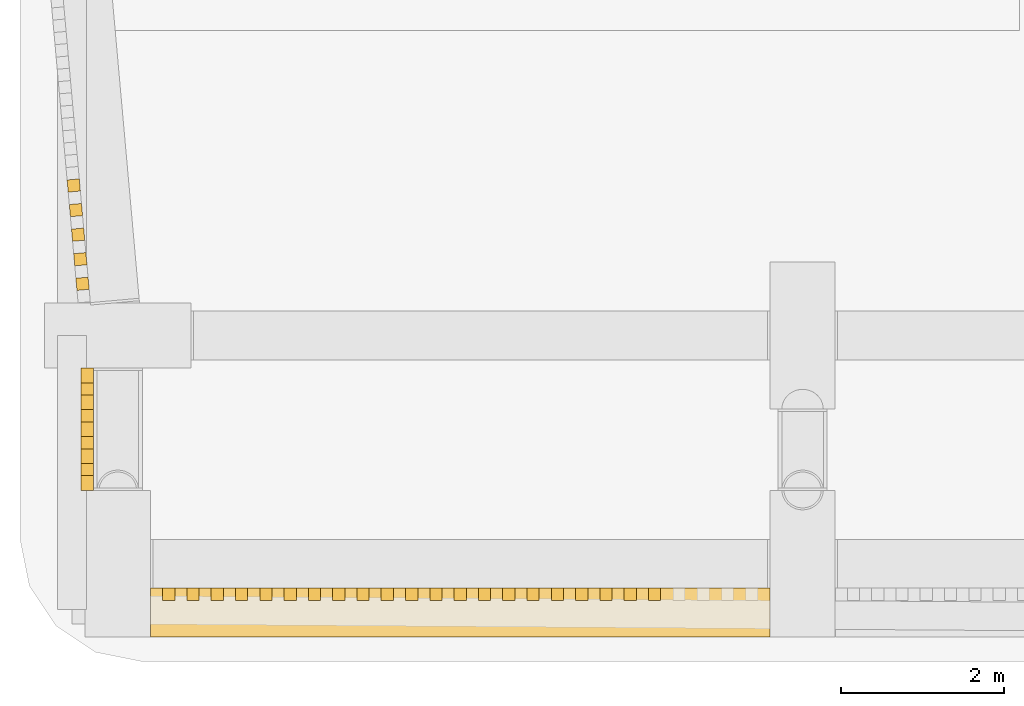
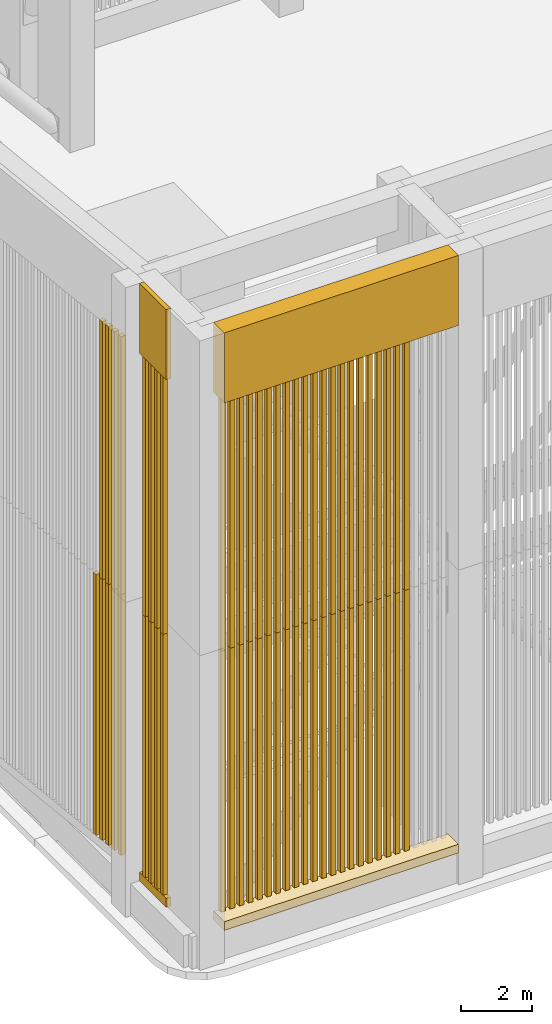
# One storey, part 8 of 27: 59 shading devices, 4 coverings.
"""IFC4 building model written with IfcOpenShell, lengths in metres."""

from ifc_helpers import new_model, si_unit, direction, frame, origin, origin_2d, place, context, subcontext, project, spatial, rectangle, extrude, material, layer, layer_set, type_object, element, save


model = new_model("IFC4")

# Units and contexts
model_context = context("Model", 3, precision=1e-05, world=origin(), true_north=direction((0.0, 1.0)))
body_context = subcontext(model_context, "Body", "Model", "MODEL_VIEW")
ifc_project = project(units=[si_unit("LENGTHUNIT", "METRE"), si_unit("AREAUNIT", "SQUARE_METRE"), si_unit("VOLUMEUNIT", "CUBIC_METRE"), si_unit("PLANEANGLEUNIT", "RADIAN"), si_unit("MASSUNIT", "GRAM", prefix="KILO")], contexts=[model_context])

# Site, building, storey
site_placement = place(None, origin())
site = spatial("IfcSite", under=ifc_project, at=site_placement, CompositionType="ELEMENT")
building_placement = place(site_placement, origin())
building = spatial("IfcBuilding", under=site, at=building_placement, Name="Claustro Exchange Tower", CompositionType="ELEMENT")
storey_placement = place(building_placement, frame((0.0, 0.0, 287.10009765625)))
storey = spatial("IfcBuildingStorey", under=building, at=storey_placement, Name="ROOF", CompositionType="ELEMENT", Elevation=287.10009765625)

# Coverings
ifc_material_1 = material(Name="Concrete HA-40 (C40/50), precast, white cement, acid-etched", Category="concrete")
ifc_layer_1 = layer(ifc_material_1, 0.14990234375)
ifc_layer_set_1 = layer_set([ifc_layer_1], Name="Concrete HA-40 (C40/50), precast, white cement, acid-etched")
covering_type_1 = type_object("IfcCoveringType", Name="CC1 150 precast concrete crown moulding", PredefinedType="MOLDING", material=ifc_layer_set_1)
covering_1_placement = place(storey_placement, frame((-0.37548828125, 7.25, 1.10009765625), z_axis=(0.0, 0.0, 1.0), x_axis=(0.0, 1.0, 0.0)))
element("IfcCovering", 1, at=covering_1_placement, inside=storey, type_object=covering_type_1, Name="CROWN SILL CC1 1/A+5600 - 1/B", PredefinedType="MOLDING", context=body_context, shape_type="SweptSolid", body=[
    extrude(rectangle(XDim=1.4990234375, YDim=0.14990234375, at=origin_2d()), origin(), (0.0, 0.0, 1.0), 0.300048828125),
])
covering_2_placement = place(storey_placement, frame((-0.37548828125, 7.25, 19.199951171875), z_axis=(0.0, 0.0, 1.0), x_axis=(0.0, 1.0, 0.0)))
element("IfcCovering", 2, at=covering_2_placement, inside=storey, type_object=covering_type_1, Name="CROWN CORNICE CC1 1/A+5600 - 1/B", PredefinedType="MOLDING", context=body_context, shape_type="SweptSolid", body=[
    extrude(rectangle(XDim=1.4990234375, YDim=0.14990234375, at=origin_2d()), origin(), (0.0, 0.0, 1.0), 2.39990234375),
])
ifc_material_2 = material(Name="Concrete HA-40 (C40/50), precast, white cement, acid-etched", Category="concrete")
ifc_layer_2 = layer(ifc_material_2, 0.60009765625)
ifc_layer_set_2 = layer_set([ifc_layer_2], Name="Concrete HA-40 (C40/50), precast, white cement, acid-etched")
covering_type_2 = type_object("IfcCoveringType", Name="CC2 600 precast concrete crown moulding", PredefinedType="MOLDING", material=ifc_layer_set_2)
covering_3_placement = place(storey_placement, frame((4.199951171875, 4.99951171875, 1.10009765625), z_axis=(0.0, 0.0, 1.0), x_axis=(1.0, 0.0, 0.0)))
element("IfcCovering", 3, at=covering_3_placement, inside=storey, type_object=covering_type_2, Name="CROWN SILL CC2 1/A+5600 - 2/A+5600", PredefinedType="MOLDING", context=body_context, shape_type="SweptSolid", body=[
    extrude(rectangle(XDim=7.59912109375, YDim=0.60009765625, at=origin_2d()), origin(), (0.0, 0.0, 1.0), 0.300048828125),
])
covering_4_placement = place(storey_placement, frame((4.199951171875, 4.99951171875, 19.199951171875), z_axis=(0.0, 0.0, 1.0), x_axis=(1.0, 0.0, 0.0)))
element("IfcCovering", 4, at=covering_4_placement, inside=storey, type_object=covering_type_2, Name="CROWN CORNICE CC2 1/A+5600 - 2/A+5600", PredefinedType="MOLDING", context=body_context, shape_type="SweptSolid", body=[
    extrude(rectangle(XDim=7.59912109375, YDim=0.60009765625, at=origin_2d()), origin(), (0.0, 0.0, 1.0), 2.39990234375),
])

# Shading devices
ifc_material_3 = material(Name="Concrete HA-40 (C40/50), precast, white cement, acid-etched", Category="concrete")
shading_device_type = type_object("IfcShadingDeviceType", Name="LV1 150 x 150 precast concrete crown louvre", PredefinedType="USERDEFINED", material=ifc_material_3)
shading_device_1_placement = place(storey_placement, frame((0.62353515625, 5.224609375, 1.39990234375), z_axis=(0.0, 0.0, 1.0), x_axis=(1.0, 0.0, 0.0)))
element("IfcShadingDevice", 5, at=shading_device_1_placement, inside=storey, type_object=shading_device_type, Name="CROWN LOUVRE LV1 1/A+5600 - 2/A+5600 01 lower", ObjectType="CROWN LOUVRE", PredefinedType="USERDEFINED", context=body_context, shape_type="SweptSolid", body=[
    extrude(rectangle(XDim=0.14990234375, YDim=0.14990234375, at=origin_2d()), origin(), (0.0, 0.0, 1.0), 8.949951171875),
])
shading_device_2_placement = place(storey_placement, frame((0.62353515625, 5.224609375, 10.349853515625), z_axis=(0.0, 0.0, 1.0), x_axis=(1.0, 0.0, 0.0)))
element("IfcShadingDevice", 6, at=shading_device_2_placement, inside=storey, type_object=shading_device_type, Name="CROWN LOUVRE LV1 1/A+5600 - 2/A+5600 01 upper", ObjectType="CROWN LOUVRE", PredefinedType="USERDEFINED", context=body_context, shape_type="SweptSolid", body=[
    extrude(rectangle(XDim=0.14990234375, YDim=0.14990234375, at=origin_2d()), origin(), (0.0, 0.0, 1.0), 8.85009765625),
])
shading_device_3_placement = place(storey_placement, frame((0.921630859375, 5.224609375, 1.39990234375), z_axis=(0.0, 0.0, 1.0), x_axis=(1.0, 0.0, 0.0)))
element("IfcShadingDevice", 7, at=shading_device_3_placement, inside=storey, type_object=shading_device_type, Name="CROWN LOUVRE LV1 1/A+5600 - 2/A+5600 02 lower", ObjectType="CROWN LOUVRE", PredefinedType="USERDEFINED", context=body_context, shape_type="SweptSolid", body=[
    extrude(rectangle(XDim=0.14990234375, YDim=0.14990234375, at=origin_2d()), origin(), (0.0, 0.0, 1.0), 8.949951171875),
])
shading_device_4_placement = place(storey_placement, frame((0.921630859375, 5.224609375, 10.349853515625), z_axis=(0.0, 0.0, 1.0), x_axis=(1.0, 0.0, 0.0)))
element("IfcShadingDevice", 8, at=shading_device_4_placement, inside=storey, type_object=shading_device_type, Name="CROWN LOUVRE LV1 1/A+5600 - 2/A+5600 02 upper", ObjectType="CROWN LOUVRE", PredefinedType="USERDEFINED", context=body_context, shape_type="SweptSolid", body=[
    extrude(rectangle(XDim=0.14990234375, YDim=0.14990234375, at=origin_2d()), origin(), (0.0, 0.0, 1.0), 8.85009765625),
])
shading_device_5_placement = place(storey_placement, frame((1.219482421875, 5.224609375, 1.39990234375), z_axis=(0.0, 0.0, 1.0), x_axis=(1.0, 0.0, 0.0)))
element("IfcShadingDevice", 9, at=shading_device_5_placement, inside=storey, type_object=shading_device_type, Name="CROWN LOUVRE LV1 1/A+5600 - 2/A+5600 03 lower", ObjectType="CROWN LOUVRE", PredefinedType="USERDEFINED", context=body_context, shape_type="SweptSolid", body=[
    extrude(rectangle(XDim=0.14990234375, YDim=0.14990234375, at=origin_2d()), origin(), (0.0, 0.0, 1.0), 8.949951171875),
])
shading_device_6_placement = place(storey_placement, frame((1.219482421875, 5.224609375, 10.349853515625), z_axis=(0.0, 0.0, 1.0), x_axis=(1.0, 0.0, 0.0)))
element("IfcShadingDevice", 10, at=shading_device_6_placement, inside=storey, type_object=shading_device_type, Name="CROWN LOUVRE LV1 1/A+5600 - 2/A+5600 03 upper", ObjectType="CROWN LOUVRE", PredefinedType="USERDEFINED", context=body_context, shape_type="SweptSolid", body=[
    extrude(rectangle(XDim=0.14990234375, YDim=0.14990234375, at=origin_2d()), origin(), (0.0, 0.0, 1.0), 8.85009765625),
])
shading_device_7_placement = place(storey_placement, frame((1.517578125, 5.224609375, 1.39990234375), z_axis=(0.0, 0.0, 1.0), x_axis=(1.0, 0.0, 0.0)))
element("IfcShadingDevice", 11, at=shading_device_7_placement, inside=storey, type_object=shading_device_type, Name="CROWN LOUVRE LV1 1/A+5600 - 2/A+5600 04 lower", ObjectType="CROWN LOUVRE", PredefinedType="USERDEFINED", context=body_context, shape_type="SweptSolid", body=[
    extrude(rectangle(XDim=0.14990234375, YDim=0.14990234375, at=origin_2d()), origin(), (0.0, 0.0, 1.0), 8.949951171875),
])
shading_device_8_placement = place(storey_placement, frame((1.517578125, 5.224609375, 10.349853515625), z_axis=(0.0, 0.0, 1.0), x_axis=(1.0, 0.0, 0.0)))
element("IfcShadingDevice", 12, at=shading_device_8_placement, inside=storey, type_object=shading_device_type, Name="CROWN LOUVRE LV1 1/A+5600 - 2/A+5600 04 upper", ObjectType="CROWN LOUVRE", PredefinedType="USERDEFINED", context=body_context, shape_type="SweptSolid", body=[
    extrude(rectangle(XDim=0.14990234375, YDim=0.14990234375, at=origin_2d()), origin(), (0.0, 0.0, 1.0), 8.85009765625),
])
shading_device_9_placement = place(storey_placement, frame((1.815673828125, 5.224609375, 1.39990234375), z_axis=(0.0, 0.0, 1.0), x_axis=(1.0, 0.0, 0.0)))
element("IfcShadingDevice", 13, at=shading_device_9_placement, inside=storey, type_object=shading_device_type, Name="CROWN LOUVRE LV1 1/A+5600 - 2/A+5600 05 lower", ObjectType="CROWN LOUVRE", PredefinedType="USERDEFINED", context=body_context, shape_type="SweptSolid", body=[
    extrude(rectangle(XDim=0.14990234375, YDim=0.14990234375, at=origin_2d()), origin(), (0.0, 0.0, 1.0), 8.949951171875),
])
shading_device_10_placement = place(storey_placement, frame((1.815673828125, 5.224609375, 10.349853515625), z_axis=(0.0, 0.0, 1.0), x_axis=(1.0, 0.0, 0.0)))
element("IfcShadingDevice", 14, at=shading_device_10_placement, inside=storey, type_object=shading_device_type, Name="CROWN LOUVRE LV1 1/A+5600 - 2/A+5600 05 upper", ObjectType="CROWN LOUVRE", PredefinedType="USERDEFINED", context=body_context, shape_type="SweptSolid", body=[
    extrude(rectangle(XDim=0.14990234375, YDim=0.14990234375, at=origin_2d()), origin(), (0.0, 0.0, 1.0), 8.85009765625),
])
shading_device_11_placement = place(storey_placement, frame((2.11376953125, 5.224609375, 1.39990234375), z_axis=(0.0, 0.0, 1.0), x_axis=(1.0, 0.0, 0.0)))
element("IfcShadingDevice", 15, at=shading_device_11_placement, inside=storey, type_object=shading_device_type, Name="CROWN LOUVRE LV1 1/A+5600 - 2/A+5600 06 lower", ObjectType="CROWN LOUVRE", PredefinedType="USERDEFINED", context=body_context, shape_type="SweptSolid", body=[
    extrude(rectangle(XDim=0.14990234375, YDim=0.14990234375, at=origin_2d()), origin(), (0.0, 0.0, 1.0), 8.949951171875),
])
shading_device_12_placement = place(storey_placement, frame((2.11376953125, 5.224609375, 10.349853515625), z_axis=(0.0, 0.0, 1.0), x_axis=(1.0, 0.0, 0.0)))
element("IfcShadingDevice", 16, at=shading_device_12_placement, inside=storey, type_object=shading_device_type, Name="CROWN LOUVRE LV1 1/A+5600 - 2/A+5600 06 upper", ObjectType="CROWN LOUVRE", PredefinedType="USERDEFINED", context=body_context, shape_type="SweptSolid", body=[
    extrude(rectangle(XDim=0.14990234375, YDim=0.14990234375, at=origin_2d()), origin(), (0.0, 0.0, 1.0), 8.85009765625),
])
shading_device_13_placement = place(storey_placement, frame((2.411865234375, 5.224609375, 1.39990234375), z_axis=(0.0, 0.0, 1.0), x_axis=(1.0, 0.0, 0.0)))
element("IfcShadingDevice", 17, at=shading_device_13_placement, inside=storey, type_object=shading_device_type, Name="CROWN LOUVRE LV1 1/A+5600 - 2/A+5600 07 lower", ObjectType="CROWN LOUVRE", PredefinedType="USERDEFINED", context=body_context, shape_type="SweptSolid", body=[
    extrude(rectangle(XDim=0.14990234375, YDim=0.14990234375, at=origin_2d()), origin(), (0.0, 0.0, 1.0), 8.949951171875),
])
shading_device_14_placement = place(storey_placement, frame((2.411865234375, 5.224609375, 10.349853515625), z_axis=(0.0, 0.0, 1.0), x_axis=(1.0, 0.0, 0.0)))
element("IfcShadingDevice", 18, at=shading_device_14_placement, inside=storey, type_object=shading_device_type, Name="CROWN LOUVRE LV1 1/A+5600 - 2/A+5600 07 upper", ObjectType="CROWN LOUVRE", PredefinedType="USERDEFINED", context=body_context, shape_type="SweptSolid", body=[
    extrude(rectangle(XDim=0.14990234375, YDim=0.14990234375, at=origin_2d()), origin(), (0.0, 0.0, 1.0), 8.85009765625),
])
shading_device_15_placement = place(storey_placement, frame((2.709716796875, 5.224609375, 1.39990234375), z_axis=(0.0, 0.0, 1.0), x_axis=(1.0, 0.0, 0.0)))
element("IfcShadingDevice", 19, at=shading_device_15_placement, inside=storey, type_object=shading_device_type, Name="CROWN LOUVRE LV1 1/A+5600 - 2/A+5600 08 lower", ObjectType="CROWN LOUVRE", PredefinedType="USERDEFINED", context=body_context, shape_type="SweptSolid", body=[
    extrude(rectangle(XDim=0.14990234375, YDim=0.14990234375, at=origin_2d()), origin(), (0.0, 0.0, 1.0), 8.949951171875),
])
shading_device_16_placement = place(storey_placement, frame((2.709716796875, 5.224609375, 10.349853515625), z_axis=(0.0, 0.0, 1.0), x_axis=(1.0, 0.0, 0.0)))
element("IfcShadingDevice", 20, at=shading_device_16_placement, inside=storey, type_object=shading_device_type, Name="CROWN LOUVRE LV1 1/A+5600 - 2/A+5600 08 upper", ObjectType="CROWN LOUVRE", PredefinedType="USERDEFINED", context=body_context, shape_type="SweptSolid", body=[
    extrude(rectangle(XDim=0.14990234375, YDim=0.14990234375, at=origin_2d()), origin(), (0.0, 0.0, 1.0), 8.85009765625),
])
shading_device_17_placement = place(storey_placement, frame((3.0078125, 5.224609375, 1.39990234375), z_axis=(0.0, 0.0, 1.0), x_axis=(1.0, 0.0, 0.0)))
element("IfcShadingDevice", 21, at=shading_device_17_placement, inside=storey, type_object=shading_device_type, Name="CROWN LOUVRE LV1 1/A+5600 - 2/A+5600 09 lower", ObjectType="CROWN LOUVRE", PredefinedType="USERDEFINED", context=body_context, shape_type="SweptSolid", body=[
    extrude(rectangle(XDim=0.14990234375, YDim=0.14990234375, at=origin_2d()), origin(), (0.0, 0.0, 1.0), 8.949951171875),
])
shading_device_18_placement = place(storey_placement, frame((3.0078125, 5.224609375, 10.349853515625), z_axis=(0.0, 0.0, 1.0), x_axis=(1.0, 0.0, 0.0)))
element("IfcShadingDevice", 22, at=shading_device_18_placement, inside=storey, type_object=shading_device_type, Name="CROWN LOUVRE LV1 1/A+5600 - 2/A+5600 09 upper", ObjectType="CROWN LOUVRE", PredefinedType="USERDEFINED", context=body_context, shape_type="SweptSolid", body=[
    extrude(rectangle(XDim=0.14990234375, YDim=0.14990234375, at=origin_2d()), origin(), (0.0, 0.0, 1.0), 8.85009765625),
])
shading_device_19_placement = place(storey_placement, frame((3.305908203125, 5.224609375, 1.39990234375), z_axis=(0.0, 0.0, 1.0), x_axis=(1.0, 0.0, 0.0)))
element("IfcShadingDevice", 23, at=shading_device_19_placement, inside=storey, type_object=shading_device_type, Name="CROWN LOUVRE LV1 1/A+5600 - 2/A+5600 10 lower", ObjectType="CROWN LOUVRE", PredefinedType="USERDEFINED", context=body_context, shape_type="SweptSolid", body=[
    extrude(rectangle(XDim=0.14990234375, YDim=0.14990234375, at=origin_2d()), origin(), (0.0, 0.0, 1.0), 8.949951171875),
])
shading_device_20_placement = place(storey_placement, frame((3.305908203125, 5.224609375, 10.349853515625), z_axis=(0.0, 0.0, 1.0), x_axis=(1.0, 0.0, 0.0)))
element("IfcShadingDevice", 24, at=shading_device_20_placement, inside=storey, type_object=shading_device_type, Name="CROWN LOUVRE LV1 1/A+5600 - 2/A+5600 10 upper", ObjectType="CROWN LOUVRE", PredefinedType="USERDEFINED", context=body_context, shape_type="SweptSolid", body=[
    extrude(rectangle(XDim=0.14990234375, YDim=0.14990234375, at=origin_2d()), origin(), (0.0, 0.0, 1.0), 8.85009765625),
])
shading_device_21_placement = place(storey_placement, frame((3.60400390625, 5.224609375, 1.39990234375), z_axis=(0.0, 0.0, 1.0), x_axis=(1.0, 0.0, 0.0)))
element("IfcShadingDevice", 25, at=shading_device_21_placement, inside=storey, type_object=shading_device_type, Name="CROWN LOUVRE LV1 1/A+5600 - 2/A+5600 11 lower", ObjectType="CROWN LOUVRE", PredefinedType="USERDEFINED", context=body_context, shape_type="SweptSolid", body=[
    extrude(rectangle(XDim=0.14990234375, YDim=0.14990234375, at=origin_2d()), origin(), (0.0, 0.0, 1.0), 8.949951171875),
])
shading_device_22_placement = place(storey_placement, frame((3.60400390625, 5.224609375, 10.349853515625), z_axis=(0.0, 0.0, 1.0), x_axis=(1.0, 0.0, 0.0)))
element("IfcShadingDevice", 26, at=shading_device_22_placement, inside=storey, type_object=shading_device_type, Name="CROWN LOUVRE LV1 1/A+5600 - 2/A+5600 11 upper", ObjectType="CROWN LOUVRE", PredefinedType="USERDEFINED", context=body_context, shape_type="SweptSolid", body=[
    extrude(rectangle(XDim=0.14990234375, YDim=0.14990234375, at=origin_2d()), origin(), (0.0, 0.0, 1.0), 8.85009765625),
])
shading_device_23_placement = place(storey_placement, frame((3.902099609375, 5.224609375, 1.39990234375), z_axis=(0.0, 0.0, 1.0), x_axis=(1.0, 0.0, 0.0)))
element("IfcShadingDevice", 27, at=shading_device_23_placement, inside=storey, type_object=shading_device_type, Name="CROWN LOUVRE LV1 1/A+5600 - 2/A+5600 12 lower", ObjectType="CROWN LOUVRE", PredefinedType="USERDEFINED", context=body_context, shape_type="SweptSolid", body=[
    extrude(rectangle(XDim=0.14990234375, YDim=0.14990234375, at=origin_2d()), origin(), (0.0, 0.0, 1.0), 8.949951171875),
])
shading_device_24_placement = place(storey_placement, frame((3.902099609375, 5.224609375, 10.349853515625), z_axis=(0.0, 0.0, 1.0), x_axis=(1.0, 0.0, 0.0)))
element("IfcShadingDevice", 28, at=shading_device_24_placement, inside=storey, type_object=shading_device_type, Name="CROWN LOUVRE LV1 1/A+5600 - 2/A+5600 12 upper", ObjectType="CROWN LOUVRE", PredefinedType="USERDEFINED", context=body_context, shape_type="SweptSolid", body=[
    extrude(rectangle(XDim=0.14990234375, YDim=0.14990234375, at=origin_2d()), origin(), (0.0, 0.0, 1.0), 8.85009765625),
])
shading_device_25_placement = place(storey_placement, frame((4.199951171875, 5.224609375, 1.39990234375), z_axis=(0.0, 0.0, 1.0), x_axis=(1.0, 0.0, 0.0)))
element("IfcShadingDevice", 29, at=shading_device_25_placement, inside=storey, type_object=shading_device_type, Name="CROWN LOUVRE LV1 1/A+5600 - 2/A+5600 13 lower", ObjectType="CROWN LOUVRE", PredefinedType="USERDEFINED", context=body_context, shape_type="SweptSolid", body=[
    extrude(rectangle(XDim=0.14990234375, YDim=0.14990234375, at=origin_2d()), origin(), (0.0, 0.0, 1.0), 8.949951171875),
])
shading_device_26_placement = place(storey_placement, frame((4.199951171875, 5.224609375, 10.349853515625), z_axis=(0.0, 0.0, 1.0), x_axis=(1.0, 0.0, 0.0)))
element("IfcShadingDevice", 30, at=shading_device_26_placement, inside=storey, type_object=shading_device_type, Name="CROWN LOUVRE LV1 1/A+5600 - 2/A+5600 13 upper", ObjectType="CROWN LOUVRE", PredefinedType="USERDEFINED", context=body_context, shape_type="SweptSolid", body=[
    extrude(rectangle(XDim=0.14990234375, YDim=0.14990234375, at=origin_2d()), origin(), (0.0, 0.0, 1.0), 8.85009765625),
])
shading_device_27_placement = place(storey_placement, frame((4.498046875, 5.224609375, 1.39990234375), z_axis=(0.0, 0.0, 1.0), x_axis=(1.0, 0.0, 0.0)))
element("IfcShadingDevice", 31, at=shading_device_27_placement, inside=storey, type_object=shading_device_type, Name="CROWN LOUVRE LV1 1/A+5600 - 2/A+5600 14 lower", ObjectType="CROWN LOUVRE", PredefinedType="USERDEFINED", context=body_context, shape_type="SweptSolid", body=[
    extrude(rectangle(XDim=0.14990234375, YDim=0.14990234375, at=origin_2d()), origin(), (0.0, 0.0, 1.0), 8.949951171875),
])
shading_device_28_placement = place(storey_placement, frame((4.498046875, 5.224609375, 10.349853515625), z_axis=(0.0, 0.0, 1.0), x_axis=(1.0, 0.0, 0.0)))
element("IfcShadingDevice", 32, at=shading_device_28_placement, inside=storey, type_object=shading_device_type, Name="CROWN LOUVRE LV1 1/A+5600 - 2/A+5600 14 upper", ObjectType="CROWN LOUVRE", PredefinedType="USERDEFINED", context=body_context, shape_type="SweptSolid", body=[
    extrude(rectangle(XDim=0.14990234375, YDim=0.14990234375, at=origin_2d()), origin(), (0.0, 0.0, 1.0), 8.85009765625),
])
shading_device_29_placement = place(storey_placement, frame((4.796142578125, 5.224609375, 1.39990234375), z_axis=(0.0, 0.0, 1.0), x_axis=(1.0, 0.0, 0.0)))
element("IfcShadingDevice", 33, at=shading_device_29_placement, inside=storey, type_object=shading_device_type, Name="CROWN LOUVRE LV1 1/A+5600 - 2/A+5600 15 lower", ObjectType="CROWN LOUVRE", PredefinedType="USERDEFINED", context=body_context, shape_type="SweptSolid", body=[
    extrude(rectangle(XDim=0.14990234375, YDim=0.14990234375, at=origin_2d()), origin(), (0.0, 0.0, 1.0), 8.949951171875),
])
shading_device_30_placement = place(storey_placement, frame((4.796142578125, 5.224609375, 10.349853515625), z_axis=(0.0, 0.0, 1.0), x_axis=(1.0, 0.0, 0.0)))
element("IfcShadingDevice", 34, at=shading_device_30_placement, inside=storey, type_object=shading_device_type, Name="CROWN LOUVRE LV1 1/A+5600 - 2/A+5600 15 upper", ObjectType="CROWN LOUVRE", PredefinedType="USERDEFINED", context=body_context, shape_type="SweptSolid", body=[
    extrude(rectangle(XDim=0.14990234375, YDim=0.14990234375, at=origin_2d()), origin(), (0.0, 0.0, 1.0), 8.85009765625),
])
shading_device_31_placement = place(storey_placement, frame((5.093994140625, 5.224609375, 1.39990234375), z_axis=(0.0, 0.0, 1.0), x_axis=(1.0, 0.0, 0.0)))
element("IfcShadingDevice", 35, at=shading_device_31_placement, inside=storey, type_object=shading_device_type, Name="CROWN LOUVRE LV1 1/A+5600 - 2/A+5600 16 lower", ObjectType="CROWN LOUVRE", PredefinedType="USERDEFINED", context=body_context, shape_type="SweptSolid", body=[
    extrude(rectangle(XDim=0.14990234375, YDim=0.14990234375, at=origin_2d()), origin(), (0.0, 0.0, 1.0), 8.949951171875),
])
shading_device_32_placement = place(storey_placement, frame((5.093994140625, 5.224609375, 10.349853515625), z_axis=(0.0, 0.0, 1.0), x_axis=(1.0, 0.0, 0.0)))
element("IfcShadingDevice", 36, at=shading_device_32_placement, inside=storey, type_object=shading_device_type, Name="CROWN LOUVRE LV1 1/A+5600 - 2/A+5600 16 upper", ObjectType="CROWN LOUVRE", PredefinedType="USERDEFINED", context=body_context, shape_type="SweptSolid", body=[
    extrude(rectangle(XDim=0.14990234375, YDim=0.14990234375, at=origin_2d()), origin(), (0.0, 0.0, 1.0), 8.85009765625),
])
shading_device_33_placement = place(storey_placement, frame((5.39208984375, 5.224609375, 1.39990234375), z_axis=(0.0, 0.0, 1.0), x_axis=(1.0, 0.0, 0.0)))
element("IfcShadingDevice", 37, at=shading_device_33_placement, inside=storey, type_object=shading_device_type, Name="CROWN LOUVRE LV1 1/A+5600 - 2/A+5600 17 lower", ObjectType="CROWN LOUVRE", PredefinedType="USERDEFINED", context=body_context, shape_type="SweptSolid", body=[
    extrude(rectangle(XDim=0.14990234375, YDim=0.14990234375, at=origin_2d()), origin(), (0.0, 0.0, 1.0), 8.949951171875),
])
shading_device_34_placement = place(storey_placement, frame((5.39208984375, 5.224609375, 10.349853515625), z_axis=(0.0, 0.0, 1.0), x_axis=(1.0, 0.0, 0.0)))
element("IfcShadingDevice", 38, at=shading_device_34_placement, inside=storey, type_object=shading_device_type, Name="CROWN LOUVRE LV1 1/A+5600 - 2/A+5600 17 upper", ObjectType="CROWN LOUVRE", PredefinedType="USERDEFINED", context=body_context, shape_type="SweptSolid", body=[
    extrude(rectangle(XDim=0.14990234375, YDim=0.14990234375, at=origin_2d()), origin(), (0.0, 0.0, 1.0), 8.85009765625),
])
shading_device_35_placement = place(storey_placement, frame((5.690185546875, 5.224609375, 1.39990234375), z_axis=(0.0, 0.0, 1.0), x_axis=(1.0, 0.0, 0.0)))
element("IfcShadingDevice", 39, at=shading_device_35_placement, inside=storey, type_object=shading_device_type, Name="CROWN LOUVRE LV1 1/A+5600 - 2/A+5600 18 lower", ObjectType="CROWN LOUVRE", PredefinedType="USERDEFINED", context=body_context, shape_type="SweptSolid", body=[
    extrude(rectangle(XDim=0.14990234375, YDim=0.14990234375, at=origin_2d()), origin(), (0.0, 0.0, 1.0), 8.949951171875),
])
shading_device_36_placement = place(storey_placement, frame((5.690185546875, 5.224609375, 10.349853515625), z_axis=(0.0, 0.0, 1.0), x_axis=(1.0, 0.0, 0.0)))
element("IfcShadingDevice", 40, at=shading_device_36_placement, inside=storey, type_object=shading_device_type, Name="CROWN LOUVRE LV1 1/A+5600 - 2/A+5600 18 upper", ObjectType="CROWN LOUVRE", PredefinedType="USERDEFINED", context=body_context, shape_type="SweptSolid", body=[
    extrude(rectangle(XDim=0.14990234375, YDim=0.14990234375, at=origin_2d()), origin(), (0.0, 0.0, 1.0), 8.85009765625),
])
shading_device_37_placement = place(storey_placement, frame((5.98828125, 5.224609375, 1.39990234375), z_axis=(0.0, 0.0, 1.0), x_axis=(1.0, 0.0, 0.0)))
element("IfcShadingDevice", 41, at=shading_device_37_placement, inside=storey, type_object=shading_device_type, Name="CROWN LOUVRE LV1 1/A+5600 - 2/A+5600 19 lower", ObjectType="CROWN LOUVRE", PredefinedType="USERDEFINED", context=body_context, shape_type="SweptSolid", body=[
    extrude(rectangle(XDim=0.14990234375, YDim=0.14990234375, at=origin_2d()), origin(), (0.0, 0.0, 1.0), 8.949951171875),
])
shading_device_38_placement = place(storey_placement, frame((5.98828125, 5.224609375, 10.349853515625), z_axis=(0.0, 0.0, 1.0), x_axis=(1.0, 0.0, 0.0)))
element("IfcShadingDevice", 42, at=shading_device_38_placement, inside=storey, type_object=shading_device_type, Name="CROWN LOUVRE LV1 1/A+5600 - 2/A+5600 19 upper", ObjectType="CROWN LOUVRE", PredefinedType="USERDEFINED", context=body_context, shape_type="SweptSolid", body=[
    extrude(rectangle(XDim=0.14990234375, YDim=0.14990234375, at=origin_2d()), origin(), (0.0, 0.0, 1.0), 8.85009765625),
])
shading_device_39_placement = place(storey_placement, frame((6.286376953125, 5.224609375, 1.39990234375), z_axis=(0.0, 0.0, 1.0), x_axis=(1.0, 0.0, 0.0)))
element("IfcShadingDevice", 43, at=shading_device_39_placement, inside=storey, type_object=shading_device_type, Name="CROWN LOUVRE LV1 1/A+5600 - 2/A+5600 20 lower", ObjectType="CROWN LOUVRE", PredefinedType="USERDEFINED", context=body_context, shape_type="SweptSolid", body=[
    extrude(rectangle(XDim=0.14990234375, YDim=0.14990234375, at=origin_2d()), origin(), (0.0, 0.0, 1.0), 8.949951171875),
])
shading_device_40_placement = place(storey_placement, frame((6.286376953125, 5.224609375, 10.349853515625), z_axis=(0.0, 0.0, 1.0), x_axis=(1.0, 0.0, 0.0)))
element("IfcShadingDevice", 44, at=shading_device_40_placement, inside=storey, type_object=shading_device_type, Name="CROWN LOUVRE LV1 1/A+5600 - 2/A+5600 20 upper", ObjectType="CROWN LOUVRE", PredefinedType="USERDEFINED", context=body_context, shape_type="SweptSolid", body=[
    extrude(rectangle(XDim=0.14990234375, YDim=0.14990234375, at=origin_2d()), origin(), (0.0, 0.0, 1.0), 8.85009765625),
])
shading_device_41_placement = place(storey_placement, frame((6.584228515625, 5.224609375, 1.39990234375), z_axis=(0.0, 0.0, 1.0), x_axis=(1.0, 0.0, 0.0)))
element("IfcShadingDevice", 45, at=shading_device_41_placement, inside=storey, type_object=shading_device_type, Name="CROWN LOUVRE LV1 1/A+5600 - 2/A+5600 21 lower", ObjectType="CROWN LOUVRE", PredefinedType="USERDEFINED", context=body_context, shape_type="SweptSolid", body=[
    extrude(rectangle(XDim=0.14990234375, YDim=0.14990234375, at=origin_2d()), origin(), (0.0, 0.0, 1.0), 8.949951171875),
])
shading_device_42_placement = place(storey_placement, frame((6.584228515625, 5.224609375, 10.349853515625), z_axis=(0.0, 0.0, 1.0), x_axis=(1.0, 0.0, 0.0)))
element("IfcShadingDevice", 46, at=shading_device_42_placement, inside=storey, type_object=shading_device_type, Name="CROWN LOUVRE LV1 1/A+5600 - 2/A+5600 21 upper", ObjectType="CROWN LOUVRE", PredefinedType="USERDEFINED", context=body_context, shape_type="SweptSolid", body=[
    extrude(rectangle(XDim=0.14990234375, YDim=0.14990234375, at=origin_2d()), origin(), (0.0, 0.0, 1.0), 8.85009765625),
])
shading_device_43_placement = place(storey_placement, frame((-0.37548828125, 6.75537109375, 1.39990234375), z_axis=(0.0, 0.0, 1.0), x_axis=(0.0, 1.0, 0.0)))
element("IfcShadingDevice", 47, at=shading_device_43_placement, inside=storey, type_object=shading_device_type, Name="CROWN LOUVRE LV1 1/A+5600 - 1/B 01 lower", ObjectType="CROWN LOUVRE", PredefinedType="USERDEFINED", context=body_context, shape_type="SweptSolid", body=[
    extrude(rectangle(XDim=0.14990234375, YDim=0.14990234375, at=origin_2d()), origin(), (0.0, 0.0, 1.0), 8.949951171875),
])
shading_device_44_placement = place(storey_placement, frame((-0.37548828125, 6.75537109375, 10.349853515625), z_axis=(0.0, 0.0, 1.0), x_axis=(0.0, 1.0, 0.0)))
element("IfcShadingDevice", 48, at=shading_device_44_placement, inside=storey, type_object=shading_device_type, Name="CROWN LOUVRE LV1 1/A+5600 - 1/B 01 upper", ObjectType="CROWN LOUVRE", PredefinedType="USERDEFINED", context=body_context, shape_type="SweptSolid", body=[
    extrude(rectangle(XDim=0.14990234375, YDim=0.14990234375, at=origin_2d()), origin(), (0.0, 0.0, 1.0), 8.85009765625),
])
shading_device_45_placement = place(storey_placement, frame((-0.37548828125, 7.085205078125, 1.39990234375), z_axis=(0.0, 0.0, 1.0), x_axis=(0.0, 1.0, 0.0)))
element("IfcShadingDevice", 49, at=shading_device_45_placement, inside=storey, type_object=shading_device_type, Name="CROWN LOUVRE LV1 1/A+5600 - 1/B 02 lower", ObjectType="CROWN LOUVRE", PredefinedType="USERDEFINED", context=body_context, shape_type="SweptSolid", body=[
    extrude(rectangle(XDim=0.14990234375, YDim=0.14990234375, at=origin_2d()), origin(), (0.0, 0.0, 1.0), 8.949951171875),
])
shading_device_46_placement = place(storey_placement, frame((-0.37548828125, 7.085205078125, 10.349853515625), z_axis=(0.0, 0.0, 1.0), x_axis=(0.0, 1.0, 0.0)))
element("IfcShadingDevice", 50, at=shading_device_46_placement, inside=storey, type_object=shading_device_type, Name="CROWN LOUVRE LV1 1/A+5600 - 1/B 02 upper", ObjectType="CROWN LOUVRE", PredefinedType="USERDEFINED", context=body_context, shape_type="SweptSolid", body=[
    extrude(rectangle(XDim=0.14990234375, YDim=0.14990234375, at=origin_2d()), origin(), (0.0, 0.0, 1.0), 8.85009765625),
])
shading_device_47_placement = place(storey_placement, frame((-0.37548828125, 7.414794921875, 1.39990234375), z_axis=(0.0, 0.0, 1.0), x_axis=(0.0, 1.0, 0.0)))
element("IfcShadingDevice", 51, at=shading_device_47_placement, inside=storey, type_object=shading_device_type, Name="CROWN LOUVRE LV1 1/A+5600 - 1/B 03 lower", ObjectType="CROWN LOUVRE", PredefinedType="USERDEFINED", context=body_context, shape_type="SweptSolid", body=[
    extrude(rectangle(XDim=0.14990234375, YDim=0.14990234375, at=origin_2d()), origin(), (0.0, 0.0, 1.0), 8.949951171875),
])
shading_device_48_placement = place(storey_placement, frame((-0.37548828125, 7.414794921875, 10.349853515625), z_axis=(0.0, 0.0, 1.0), x_axis=(0.0, 1.0, 0.0)))
element("IfcShadingDevice", 52, at=shading_device_48_placement, inside=storey, type_object=shading_device_type, Name="CROWN LOUVRE LV1 1/A+5600 - 1/B 03 upper", ObjectType="CROWN LOUVRE", PredefinedType="USERDEFINED", context=body_context, shape_type="SweptSolid", body=[
    extrude(rectangle(XDim=0.14990234375, YDim=0.14990234375, at=origin_2d()), origin(), (0.0, 0.0, 1.0), 8.85009765625),
])
shading_device_49_placement = place(storey_placement, frame((-0.37548828125, 7.74462890625, 1.39990234375), z_axis=(0.0, 0.0, 1.0), x_axis=(0.0, 1.0, 0.0)))
element("IfcShadingDevice", 53, at=shading_device_49_placement, inside=storey, type_object=shading_device_type, Name="CROWN LOUVRE LV1 1/A+5600 - 1/B 04 lower", ObjectType="CROWN LOUVRE", PredefinedType="USERDEFINED", context=body_context, shape_type="SweptSolid", body=[
    extrude(rectangle(XDim=0.14990234375, YDim=0.14990234375, at=origin_2d()), origin(), (0.0, 0.0, 1.0), 8.949951171875),
])
shading_device_50_placement = place(storey_placement, frame((-0.37548828125, 7.74462890625, 10.349853515625), z_axis=(0.0, 0.0, 1.0), x_axis=(0.0, 1.0, 0.0)))
element("IfcShadingDevice", 54, at=shading_device_50_placement, inside=storey, type_object=shading_device_type, Name="CROWN LOUVRE LV1 1/A+5600 - 1/B 04 upper", ObjectType="CROWN LOUVRE", PredefinedType="USERDEFINED", context=body_context, shape_type="SweptSolid", body=[
    extrude(rectangle(XDim=0.14990234375, YDim=0.14990234375, at=origin_2d()), origin(), (0.0, 0.0, 1.0), 8.85009765625),
])
shading_device_51_placement = place(storey_placement, frame((-0.43359375, 9.033935546875, 1.39990234375), z_axis=(0.0, 0.0, 1.0), x_axis=(-0.088932542032, 0.996037651381, 0.0)))
element("IfcShadingDevice", 55, at=shading_device_51_placement, inside=storey, type_object=shading_device_type, Name="CROWN LOUVRE LV1 1/B - 1+-750/C 01 lower", ObjectType="CROWN LOUVRE", PredefinedType="USERDEFINED", context=body_context, shape_type="SweptSolid", body=[
    extrude(rectangle(XDim=0.14990234375, YDim=0.14990234375, at=origin_2d()), origin(), (0.0, 0.0, 1.0), 8.949951171875),
])
shading_device_52_placement = place(storey_placement, frame((-0.43359375, 9.033935546875, 10.349853515625), z_axis=(0.0, 0.0, 1.0), x_axis=(-0.088932542032, 0.996037651381, 0.0)))
element("IfcShadingDevice", 56, at=shading_device_52_placement, inside=storey, type_object=shading_device_type, Name="CROWN LOUVRE LV1 1/B - 1+-750/C 01 upper", ObjectType="CROWN LOUVRE", PredefinedType="USERDEFINED", context=body_context, shape_type="SweptSolid", body=[
    extrude(rectangle(XDim=0.14990234375, YDim=0.14990234375, at=origin_2d()), origin(), (0.0, 0.0, 1.0), 8.85009765625),
])
shading_device_53_placement = place(storey_placement, frame((-0.46044921875, 9.33544921875, 1.39990234375), z_axis=(0.0, 0.0, 1.0), x_axis=(-0.088932542032, 0.996037651381, 0.0)))
element("IfcShadingDevice", 57, at=shading_device_53_placement, inside=storey, type_object=shading_device_type, Name="CROWN LOUVRE LV1 1/B - 1+-750/C 02 lower", ObjectType="CROWN LOUVRE", PredefinedType="USERDEFINED", context=body_context, shape_type="SweptSolid", body=[
    extrude(rectangle(XDim=0.14990234375, YDim=0.14990234375, at=origin_2d()), origin(), (0.0, 0.0, 1.0), 8.949951171875),
])
shading_device_54_placement = place(storey_placement, frame((-0.46044921875, 9.33544921875, 10.349853515625), z_axis=(0.0, 0.0, 1.0), x_axis=(-0.088932542032, 0.996037651381, 0.0)))
element("IfcShadingDevice", 58, at=shading_device_54_placement, inside=storey, type_object=shading_device_type, Name="CROWN LOUVRE LV1 1/B - 1+-750/C 02 upper", ObjectType="CROWN LOUVRE", PredefinedType="USERDEFINED", context=body_context, shape_type="SweptSolid", body=[
    extrude(rectangle(XDim=0.14990234375, YDim=0.14990234375, at=origin_2d()), origin(), (0.0, 0.0, 1.0), 8.85009765625),
])
shading_device_55_placement = place(storey_placement, frame((-0.4873046875, 9.63671875, 1.39990234375), z_axis=(0.0, 0.0, 1.0), x_axis=(-0.088932542032, 0.996037651381, 0.0)))
element("IfcShadingDevice", 59, at=shading_device_55_placement, inside=storey, type_object=shading_device_type, Name="CROWN LOUVRE LV1 1/B - 1+-750/C 03 lower", ObjectType="CROWN LOUVRE", PredefinedType="USERDEFINED", context=body_context, shape_type="SweptSolid", body=[
    extrude(rectangle(XDim=0.14990234375, YDim=0.14990234375, at=origin_2d()), origin(), (0.0, 0.0, 1.0), 8.949951171875),
])
shading_device_56_placement = place(storey_placement, frame((-0.4873046875, 9.63671875, 10.349853515625), z_axis=(0.0, 0.0, 1.0), x_axis=(-0.088932542032, 0.996037651381, 0.0)))
element("IfcShadingDevice", 60, at=shading_device_56_placement, inside=storey, type_object=shading_device_type, Name="CROWN LOUVRE LV1 1/B - 1+-750/C 03 upper", ObjectType="CROWN LOUVRE", PredefinedType="USERDEFINED", context=body_context, shape_type="SweptSolid", body=[
    extrude(rectangle(XDim=0.14990234375, YDim=0.14990234375, at=origin_2d()), origin(), (0.0, 0.0, 1.0), 8.85009765625),
])
shading_device_57_placement = place(storey_placement, frame((-0.514404296875, 9.938232421875, 1.39990234375), z_axis=(0.0, 0.0, 1.0), x_axis=(-0.088932542032, 0.996037651381, 0.0)))
element("IfcShadingDevice", 61, at=shading_device_57_placement, inside=storey, type_object=shading_device_type, Name="CROWN LOUVRE LV1 1/B - 1+-750/C 04 lower", ObjectType="CROWN LOUVRE", PredefinedType="USERDEFINED", context=body_context, shape_type="SweptSolid", body=[
    extrude(rectangle(XDim=0.14990234375, YDim=0.14990234375, at=origin_2d()), origin(), (0.0, 0.0, 1.0), 8.949951171875),
])
shading_device_58_placement = place(storey_placement, frame((-0.514404296875, 9.938232421875, 10.349853515625), z_axis=(0.0, 0.0, 1.0), x_axis=(-0.088932542032, 0.996037651381, 0.0)))
element("IfcShadingDevice", 62, at=shading_device_58_placement, inside=storey, type_object=shading_device_type, Name="CROWN LOUVRE LV1 1/B - 1+-750/C 04 upper", ObjectType="CROWN LOUVRE", PredefinedType="USERDEFINED", context=body_context, shape_type="SweptSolid", body=[
    extrude(rectangle(XDim=0.14990234375, YDim=0.14990234375, at=origin_2d()), origin(), (0.0, 0.0, 1.0), 8.85009765625),
])
shading_device_59_placement = place(storey_placement, frame((-0.541259765625, 10.23974609375, 1.39990234375), z_axis=(0.0, 0.0, 1.0), x_axis=(-0.088932542032, 0.996037651381, 0.0)))
element("IfcShadingDevice", 63, at=shading_device_59_placement, inside=storey, type_object=shading_device_type, Name="CROWN LOUVRE LV1 1/B - 1+-750/C 05 lower", ObjectType="CROWN LOUVRE", PredefinedType="USERDEFINED", context=body_context, shape_type="SweptSolid", body=[
    extrude(rectangle(XDim=0.14990234375, YDim=0.14990234375, at=origin_2d()), origin(), (0.0, 0.0, 1.0), 8.949951171875),
])

save(model, "model.ifc")
